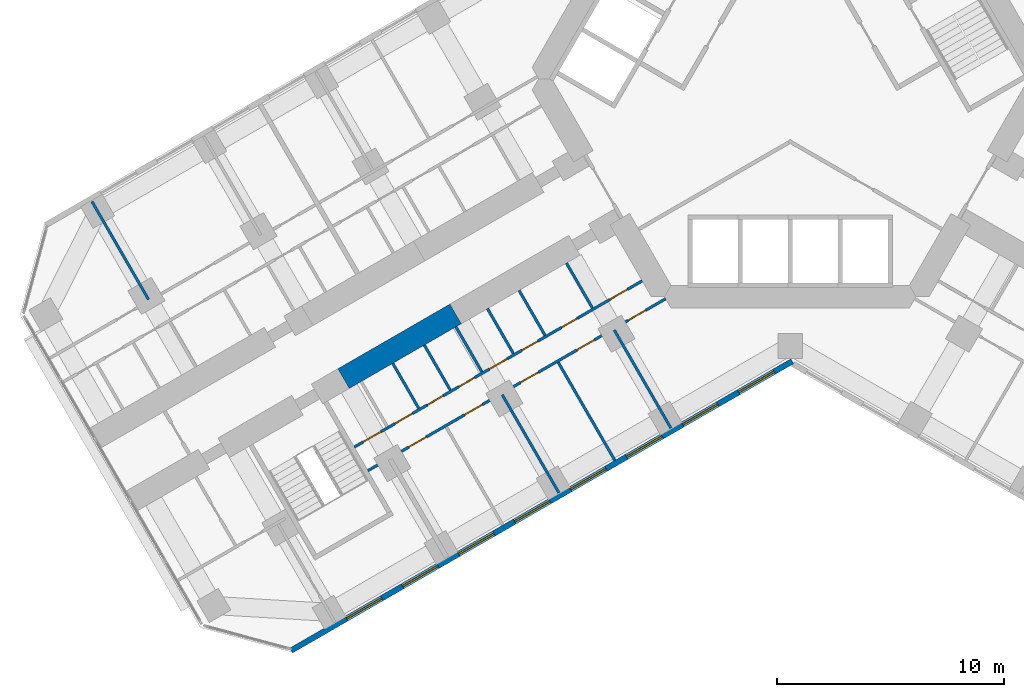
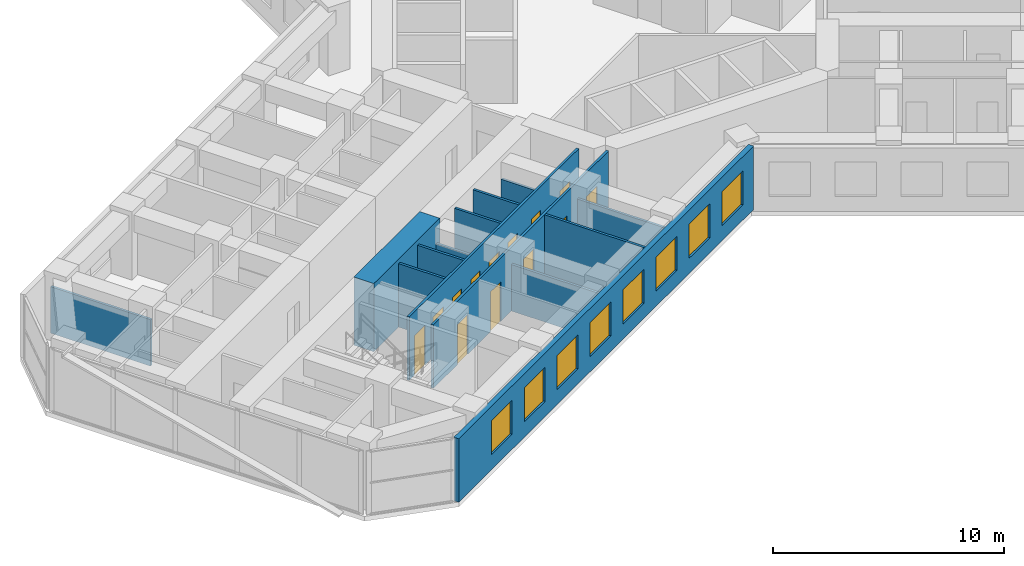
# One storey, part 9 of 18: 14 walls, 13 doors, 8 windows, 21 openings.
"""IFC4 building model written with IfcOpenShell, lengths in metres."""

from ifc_helpers import new_model, si_unit, direction, frame, frame_2d, origin, place, context, subcontext, project, spatial, rectangle, extrude, material, layer, layer_set, type_object, element, fill, save


model = new_model("IFC4")

# Units and contexts
model_context = context("Model", 3, precision=1e-05, world=origin(), true_north=direction((0.0, 1.0)))
body_context = subcontext(model_context, "Body", "Model", "MODEL_VIEW")
ifc_project = project(units=[si_unit("LENGTHUNIT", "METRE"), si_unit("AREAUNIT", "SQUARE_METRE"), si_unit("VOLUMEUNIT", "CUBIC_METRE"), si_unit("PLANEANGLEUNIT", "RADIAN"), si_unit("MASSUNIT", "GRAM", prefix="KILO")], contexts=[model_context])

# Site, building, storey
site_placement = place(None, origin())
site = spatial("IfcSite", under=ifc_project, at=site_placement, CompositionType="ELEMENT")
building_placement = place(site_placement, origin())
building = spatial("IfcBuilding", under=site, at=building_placement, Name="Kosmar Iwan School Tower", CompositionType="ELEMENT")
storey_placement = place(building_placement, frame((0.0, 0.0, 25.199951171875)))
storey = spatial("IfcBuildingStorey", under=building, at=storey_placement, Name="L05", CompositionType="ELEMENT", Elevation=25.199951171875)

# Wall
ifc_material_1 = material(Name="Concrete C50/60", Category="concrete")
ifc_layer_1 = layer(ifc_material_1, 1.0)
ifc_layer_set_1 = layer_set([ifc_layer_1], Name="Corridor buttress wall 1000")
wall_type_1 = type_object("IfcWallType", Name="Corridor buttress wall 1000", PredefinedType="SHEAR", material=ifc_layer_set_1)
wall_1_placement = place(storey_placement, frame((-14.7451171875, -10.360595703125, 0.0), z_axis=(0.0, 0.0, 1.0), x_axis=(-0.866015111908, -0.50001782563, 0.0)))
element("IfcWall", 1, at=wall_1_placement, inside=storey, type_object=wall_type_1, Name="Corridor wall BL bay 2", PredefinedType="SHEAR", context=body_context, shape_type="SweptSolid", body=[
    extrude(rectangle(XDim=5.699951171875, YDim=1.0, at=frame_2d((2.85009765625, 0.0))), origin(), (0.0, 0.0, 1.0), 3.60009765625),
])

# Wall, openings, doors
ifc_material_2 = material(Name="Gypsum board on steel studs", Category="steel")
ifc_layer_2 = layer(ifc_material_2, 0.1201171875)
ifc_layer_set_2 = layer_set([ifc_layer_2], Name="Dwelling partition 120")
wall_type_2 = type_object("IfcWallType", Name="Dwelling partition 120", PredefinedType="PARTITIONING", material=ifc_layer_set_2)
wall_2_placement = place(storey_placement, frame((-6.521728515625, -8.90380859375, 0.0), z_axis=(0.0, 0.0, 1.0), x_axis=(-0.866030734856, -0.4999907662, 0.0)))
wall_2 = element("IfcWall", 2, at=wall_2_placement, inside=storey, type_object=wall_type_2, Name="Partition L05-BL1-W1", PredefinedType="PARTITIONING", context=body_context, shape_type="SweptSolid", body=[
    extrude(rectangle(XDim=14.650146484375, YDim=0.1201171875, at=frame_2d((7.3251953125, 0.0))), origin(), (0.0, 0.0, 1.0), 3.35009765625),
])
opening_1_placement = place(wall_2_placement, frame((0.75, 0.0, 0.0)))
opening_1 = element("IfcOpeningElement", 3, at=opening_1_placement, cuts=wall_2, Name="Opening D2", PredefinedType="OPENING", context=body_context, shape_type="SweptSolid", body=[
    extrude(rectangle(XDim=0.89990234375, YDim=2.10009765625, at=frame_2d((0.449951171875, 1.050048828125))), frame((0.0, 0.072021484375, 0.0), z_axis=(0.0, -1.0, 0.0), x_axis=(1.0, 0.0, 0.0)), (0.0, 0.0, 1.0), 0.14404296875),
])
opening_2_placement = place(wall_2_placement, frame((3.304931640625, 0.0, 0.0)))
opening_2 = element("IfcOpeningElement", 4, at=opening_2_placement, cuts=wall_2, Name="Opening D3", PredefinedType="OPENING", context=body_context, shape_type="SweptSolid", body=[
    extrude(rectangle(XDim=0.800048828125, YDim=2.10009765625, at=frame_2d((0.39990234375, 1.050048828125))), frame((0.0, 0.072021484375, 0.0), z_axis=(0.0, -1.0, 0.0), x_axis=(1.0, 0.0, 0.0)), (0.0, 0.0, 1.0), 0.14404296875),
])
opening_3_placement = place(wall_2_placement, frame((5.313232421875, 0.0, 0.0)))
opening_3 = element("IfcOpeningElement", 5, at=opening_3_placement, cuts=wall_2, Name="Opening D3", PredefinedType="OPENING", context=body_context, shape_type="SweptSolid", body=[
    extrude(rectangle(XDim=0.800048828125, YDim=2.10009765625, at=frame_2d((0.39990234375, 1.050048828125))), frame((0.0, 0.072021484375, 0.0), z_axis=(0.0, -1.0, 0.0), x_axis=(1.0, 0.0, 0.0)), (0.0, 0.0, 1.0), 0.14404296875),
])
opening_4_placement = place(wall_2_placement, frame((6.8701171875, 0.0, 0.0)))
opening_4 = element("IfcOpeningElement", 6, at=opening_4_placement, cuts=wall_2, Name="Opening D2", PredefinedType="OPENING", context=body_context, shape_type="SweptSolid", body=[
    extrude(rectangle(XDim=0.89990234375, YDim=2.10009765625, at=frame_2d((0.449951171875, 1.050048828125))), frame((0.0, 0.072021484375, 0.0), z_axis=(0.0, -1.0, 0.0), x_axis=(1.0, 0.0, 0.0)), (0.0, 0.0, 1.0), 0.14404296875),
])
opening_5_placement = place(wall_2_placement, frame((8.526611328125, 0.0, 0.0)))
opening_5 = element("IfcOpeningElement", 7, at=opening_5_placement, cuts=wall_2, Name="Opening D3", PredefinedType="OPENING", context=body_context, shape_type="SweptSolid", body=[
    extrude(rectangle(XDim=0.800048828125, YDim=2.10009765625, at=frame_2d((0.39990234375, 1.050048828125))), frame((0.0, 0.072021484375, 0.0), z_axis=(0.0, -1.0, 0.0), x_axis=(1.0, 0.0, 0.0)), (0.0, 0.0, 1.0), 0.14404296875),
])
opening_6_placement = place(wall_2_placement, frame((10.13330078125, 0.0, 0.0)))
opening_6 = element("IfcOpeningElement", 8, at=opening_6_placement, cuts=wall_2, Name="Opening D3", PredefinedType="OPENING", context=body_context, shape_type="SweptSolid", body=[
    extrude(rectangle(XDim=0.800048828125, YDim=2.10009765625, at=frame_2d((0.39990234375, 1.050048828125))), frame((0.0, 0.072021484375, 0.0), z_axis=(0.0, -1.0, 0.0), x_axis=(1.0, 0.0, 0.0)), (0.0, 0.0, 1.0), 0.14404296875),
])
opening_7_placement = place(wall_2_placement, frame((11.68994140625, 0.0, 0.0)))
opening_7 = element("IfcOpeningElement", 9, at=opening_7_placement, cuts=wall_2, Name="Opening D2", PredefinedType="OPENING", context=body_context, shape_type="SweptSolid", body=[
    extrude(rectangle(XDim=0.89990234375, YDim=2.10009765625, at=frame_2d((0.449951171875, 1.050048828125))), frame((0.0, 0.072021484375, 0.0), z_axis=(0.0, -1.0, 0.0), x_axis=(1.0, 0.0, 0.0)), (0.0, 0.0, 1.0), 0.14404296875),
])
opening_8_placement = place(wall_2_placement, frame((13.296630859375, 0.0, 0.0)))
opening_8 = element("IfcOpeningElement", 10, at=opening_8_placement, cuts=wall_2, Name="Opening D2", PredefinedType="OPENING", context=body_context, shape_type="SweptSolid", body=[
    extrude(rectangle(XDim=0.89990234375, YDim=2.10009765625, at=frame_2d((0.449951171875, 1.050048828125))), frame((0.0, 0.072021484375, 0.0), z_axis=(0.0, -1.0, 0.0), x_axis=(1.0, 0.0, 0.0)), (0.0, 0.0, 1.0), 0.14404296875),
])
ifc_material_3 = material(Name="Timber door in timber frame", Category="wood")
door_type_1 = type_object("IfcDoorType", Name="Internal door 900x2100", OperationType="SINGLE_SWING_LEFT", PredefinedType="DOOR", material=ifc_material_3)
door_1_placement = place(opening_1_placement, origin())
door_1 = element("IfcDoor", 11, at=door_1_placement, inside=storey, type_object=door_type_1, Name="Entrance hall door L05-BL1-S1", OperationType="SINGLE_SWING_LEFT", OverallHeight=2.10009765625, OverallWidth=0.89990234375, PredefinedType="DOOR", context=body_context, shape_type="SweptSolid", body=[
    extrude(rectangle(XDim=0.89990234375, YDim=2.10009765625, at=frame_2d((0.449951171875, 1.050048828125))), frame((0.0, 0.02490234375, 0.0), z_axis=(0.0, -1.0, 0.0), x_axis=(1.0, 0.0, 0.0)), (0.0, 0.0, 1.0), 0.050048828125),
])
fill(opening_1, door_1)
door_2_placement = place(opening_4_placement, origin())
door_2 = element("IfcDoor", 12, at=door_2_placement, inside=storey, type_object=door_type_1, Name="Pantry door L05-BL1-S4", OperationType="SINGLE_SWING_LEFT", OverallHeight=2.10009765625, OverallWidth=0.89990234375, PredefinedType="DOOR", context=body_context, shape_type="SweptSolid", body=[
    extrude(rectangle(XDim=0.89990234375, YDim=2.10009765625, at=frame_2d((0.449951171875, 1.050048828125))), frame((0.0, 0.02490234375, 0.0), z_axis=(0.0, -1.0, 0.0), x_axis=(1.0, 0.0, 0.0)), (0.0, 0.0, 1.0), 0.050048828125),
])
fill(opening_4, door_2)
door_3_placement = place(opening_7_placement, origin())
door_3 = element("IfcDoor", 13, at=door_3_placement, inside=storey, type_object=door_type_1, Name="Utility room door L05-BL1-S7", OperationType="SINGLE_SWING_RIGHT", OverallHeight=2.10009765625, OverallWidth=0.89990234375, PredefinedType="DOOR", context=body_context, shape_type="SweptSolid", body=[
    extrude(rectangle(XDim=0.89990234375, YDim=2.10009765625, at=frame_2d((0.449951171875, 1.050048828125))), frame((0.0, 0.02490234375, 0.0), z_axis=(0.0, -1.0, 0.0), x_axis=(1.0, 0.0, 0.0)), (0.0, 0.0, 1.0), 0.050048828125),
])
fill(opening_7, door_3)
door_4_placement = place(opening_8_placement, frame((0.89990234375, 0.0, 0.0), z_axis=(0.0, 0.0, 1.0), x_axis=(-1.0, 0.0, 0.0)))
door_4 = element("IfcDoor", 14, at=door_4_placement, inside=storey, type_object=door_type_1, Name="Dressing room door L05-BL1-S8", OperationType="SINGLE_SWING_LEFT", OverallHeight=2.10009765625, OverallWidth=0.89990234375, PredefinedType="DOOR", context=body_context, shape_type="SweptSolid", body=[
    extrude(rectangle(XDim=0.89990234375, YDim=2.10009765625, at=frame_2d((0.449951171875, 1.050048828125))), frame((0.0, 0.02490234375, 0.0), z_axis=(0.0, -1.0, 0.0), x_axis=(1.0, 0.0, 0.0)), (0.0, 0.0, 1.0), 0.050048828125),
])
fill(opening_8, door_4)
ifc_material_4 = material(Name="Timber door in timber frame", Category="wood")
door_type_2 = type_object("IfcDoorType", Name="Sanitary room door 800x2100", OperationType="SINGLE_SWING_LEFT", PredefinedType="DOOR", material=ifc_material_4)
door_5_placement = place(opening_2_placement, origin())
door_5 = element("IfcDoor", 15, at=door_5_placement, inside=storey, type_object=door_type_2, Name="Bathroom door L05-BL1-S2", OperationType="SINGLE_SWING_LEFT", OverallHeight=2.10009765625, OverallWidth=0.800048828125, PredefinedType="DOOR", context=body_context, shape_type="SweptSolid", body=[
    extrude(rectangle(XDim=0.800048828125, YDim=2.10009765625, at=frame_2d((0.39990234375, 1.050048828125))), frame((0.0, 0.02490234375, 0.0), z_axis=(0.0, -1.0, 0.0), x_axis=(1.0, 0.0, 0.0)), (0.0, 0.0, 1.0), 0.050048828125),
])
fill(opening_2, door_5)
door_6_placement = place(opening_3_placement, origin())
door_6 = element("IfcDoor", 16, at=door_6_placement, inside=storey, type_object=door_type_2, Name="Shower room door L05-BL1-S3", OperationType="SINGLE_SWING_LEFT", OverallHeight=2.10009765625, OverallWidth=0.800048828125, PredefinedType="DOOR", context=body_context, shape_type="SweptSolid", body=[
    extrude(rectangle(XDim=0.800048828125, YDim=2.10009765625, at=frame_2d((0.39990234375, 1.050048828125))), frame((0.0, 0.02490234375, 0.0), z_axis=(0.0, -1.0, 0.0), x_axis=(1.0, 0.0, 0.0)), (0.0, 0.0, 1.0), 0.050048828125),
])
fill(opening_3, door_6)
door_7_placement = place(opening_5_placement, origin())
door_7 = element("IfcDoor", 17, at=door_7_placement, inside=storey, type_object=door_type_2, Name="WC door L05-BL1-S5", OperationType="SINGLE_SWING_RIGHT", OverallHeight=2.10009765625, OverallWidth=0.800048828125, PredefinedType="DOOR", context=body_context, shape_type="SweptSolid", body=[
    extrude(rectangle(XDim=0.800048828125, YDim=2.10009765625, at=frame_2d((0.39990234375, 1.050048828125))), frame((0.0, 0.02490234375, 0.0), z_axis=(0.0, -1.0, 0.0), x_axis=(1.0, 0.0, 0.0)), (0.0, 0.0, 1.0), 0.050048828125),
])
fill(opening_5, door_7)
door_8_placement = place(opening_6_placement, origin())
door_8 = element("IfcDoor", 18, at=door_8_placement, inside=storey, type_object=door_type_2, Name="Store door L05-BL1-S6", OperationType="SINGLE_SWING_RIGHT", OverallHeight=2.10009765625, OverallWidth=0.800048828125, PredefinedType="DOOR", context=body_context, shape_type="SweptSolid", body=[
    extrude(rectangle(XDim=0.800048828125, YDim=2.10009765625, at=frame_2d((0.39990234375, 1.050048828125))), frame((0.0, 0.02490234375, 0.0), z_axis=(0.0, -1.0, 0.0), x_axis=(1.0, 0.0, 0.0)), (0.0, 0.0, 1.0), 0.050048828125),
])
fill(opening_6, door_8)

wall_3_placement = place(storey_placement, frame((-5.48876953125, -9.693115234375, 0.0), z_axis=(0.0, 0.0, 1.0), x_axis=(-0.866028061085, -0.499995397393, 0.0)))
wall_3 = element("IfcWall", 19, at=wall_3_placement, inside=storey, type_object=wall_type_2, Name="Partition L05-BL1-W2", PredefinedType="PARTITIONING", context=body_context, shape_type="SweptSolid", body=[
    extrude(rectangle(XDim=15.150146484375, YDim=0.1201171875, at=frame_2d((7.5751953125, 0.0))), origin(), (0.0, 0.0, 1.0), 3.35009765625),
])
opening_9_placement = place(wall_3_placement, frame((1.0, 0.0, 0.0)))
opening_9 = element("IfcOpeningElement", 20, at=opening_9_placement, cuts=wall_3, Name="Opening D2", PredefinedType="OPENING", context=body_context, shape_type="SweptSolid", body=[
    extrude(rectangle(XDim=0.89990234375, YDim=2.10009765625, at=frame_2d((0.449951171875, 1.050048828125))), frame((0.0, 0.072021484375, 0.0), z_axis=(0.0, -1.0, 0.0), x_axis=(1.0, 0.0, 0.0)), (0.0, 0.0, 1.0), 0.14404296875),
])
opening_10_placement = place(wall_3_placement, frame((3.625, 0.0, 0.0)))
opening_10 = element("IfcOpeningElement", 21, at=opening_10_placement, cuts=wall_3, Name="Opening D2", PredefinedType="OPENING", context=body_context, shape_type="SweptSolid", body=[
    extrude(rectangle(XDim=0.89990234375, YDim=2.10009765625, at=frame_2d((0.449951171875, 1.050048828125))), frame((0.0, 0.072021484375, 0.0), z_axis=(0.0, -1.0, 0.0), x_axis=(1.0, 0.0, 0.0)), (0.0, 0.0, 1.0), 0.14404296875),
])
opening_11_placement = place(wall_3_placement, frame((6.47509765625, 0.0, 0.0)))
opening_11 = element("IfcOpeningElement", 22, at=opening_11_placement, cuts=wall_3, Name="Opening D2", PredefinedType="OPENING", context=body_context, shape_type="SweptSolid", body=[
    extrude(rectangle(XDim=0.89990234375, YDim=2.10009765625, at=frame_2d((0.449951171875, 1.050048828125))), frame((0.0, 0.072021484375, 0.0), z_axis=(0.0, -1.0, 0.0), x_axis=(1.0, 0.0, 0.0)), (0.0, 0.0, 1.0), 0.14404296875),
])
opening_12_placement = place(wall_3_placement, frame((9.324951171875, 0.0, 0.0)))
opening_12 = element("IfcOpeningElement", 23, at=opening_12_placement, cuts=wall_3, Name="Opening D2", PredefinedType="OPENING", context=body_context, shape_type="SweptSolid", body=[
    extrude(rectangle(XDim=0.89990234375, YDim=2.10009765625, at=frame_2d((0.449951171875, 1.050048828125))), frame((0.0, 0.072021484375, 0.0), z_axis=(0.0, -1.0, 0.0), x_axis=(1.0, 0.0, 0.0)), (0.0, 0.0, 1.0), 0.14404296875),
])
opening_13_placement = place(wall_3_placement, frame((12.175048828125, 0.0, 0.0)))
opening_13 = element("IfcOpeningElement", 24, at=opening_13_placement, cuts=wall_3, Name="Opening D2", PredefinedType="OPENING", context=body_context, shape_type="SweptSolid", body=[
    extrude(rectangle(XDim=0.89990234375, YDim=2.10009765625, at=frame_2d((0.449951171875, 1.050048828125))), frame((0.0, 0.072021484375, 0.0), z_axis=(0.0, -1.0, 0.0), x_axis=(1.0, 0.0, 0.0)), (0.0, 0.0, 1.0), 0.14404296875),
])
door_9_placement = place(opening_9_placement, origin())
door_9 = element("IfcDoor", 25, at=door_9_placement, inside=storey, type_object=door_type_1, Name="Living room and kitchen door L05-BL1-F1", OperationType="SINGLE_SWING_LEFT", OverallHeight=2.10009765625, OverallWidth=0.89990234375, PredefinedType="DOOR", context=body_context, shape_type="SweptSolid", body=[
    extrude(rectangle(XDim=0.89990234375, YDim=2.10009765625, at=frame_2d((0.449951171875, 1.050048828125))), frame((0.0, 0.02490234375, 0.0), z_axis=(0.0, -1.0, 0.0), x_axis=(1.0, 0.0, 0.0)), (0.0, 0.0, 1.0), 0.050048828125),
])
fill(opening_9, door_9)
door_10_placement = place(opening_10_placement, origin())
door_10 = element("IfcDoor", 26, at=door_10_placement, inside=storey, type_object=door_type_1, Name="Study door L05-BL1-F2", OperationType="SINGLE_SWING_LEFT", OverallHeight=2.10009765625, OverallWidth=0.89990234375, PredefinedType="DOOR", context=body_context, shape_type="SweptSolid", body=[
    extrude(rectangle(XDim=0.89990234375, YDim=2.10009765625, at=frame_2d((0.449951171875, 1.050048828125))), frame((0.0, 0.02490234375, 0.0), z_axis=(0.0, -1.0, 0.0), x_axis=(1.0, 0.0, 0.0)), (0.0, 0.0, 1.0), 0.050048828125),
])
fill(opening_10, door_10)
door_11_placement = place(opening_11_placement, origin())
door_11 = element("IfcDoor", 27, at=door_11_placement, inside=storey, type_object=door_type_1, Name="Bedroom 2 door L05-BL1-F3", OperationType="SINGLE_SWING_RIGHT", OverallHeight=2.10009765625, OverallWidth=0.89990234375, PredefinedType="DOOR", context=body_context, shape_type="SweptSolid", body=[
    extrude(rectangle(XDim=0.89990234375, YDim=2.10009765625, at=frame_2d((0.449951171875, 1.050048828125))), frame((0.0, 0.02490234375, 0.0), z_axis=(0.0, -1.0, 0.0), x_axis=(1.0, 0.0, 0.0)), (0.0, 0.0, 1.0), 0.050048828125),
])
fill(opening_11, door_11)
door_12_placement = place(opening_12_placement, origin())
door_12 = element("IfcDoor", 28, at=door_12_placement, inside=storey, type_object=door_type_1, Name="Study door L05-BL1-F4", OperationType="SINGLE_SWING_LEFT", OverallHeight=2.10009765625, OverallWidth=0.89990234375, PredefinedType="DOOR", context=body_context, shape_type="SweptSolid", body=[
    extrude(rectangle(XDim=0.89990234375, YDim=2.10009765625, at=frame_2d((0.449951171875, 1.050048828125))), frame((0.0, 0.02490234375, 0.0), z_axis=(0.0, -1.0, 0.0), x_axis=(1.0, 0.0, 0.0)), (0.0, 0.0, 1.0), 0.050048828125),
])
fill(opening_12, door_12)
door_13_placement = place(opening_13_placement, origin())
door_13 = element("IfcDoor", 29, at=door_13_placement, inside=storey, type_object=door_type_1, Name="Bedroom 1 door L05-BL1-F5", OperationType="SINGLE_SWING_RIGHT", OverallHeight=2.10009765625, OverallWidth=0.89990234375, PredefinedType="DOOR", context=body_context, shape_type="SweptSolid", body=[
    extrude(rectangle(XDim=0.89990234375, YDim=2.10009765625, at=frame_2d((0.449951171875, 1.050048828125))), frame((0.0, 0.02490234375, 0.0), z_axis=(0.0, -1.0, 0.0), x_axis=(1.0, 0.0, 0.0)), (0.0, 0.0, 1.0), 0.050048828125),
])
fill(opening_13, door_13)

# Walls
wall_4_placement = place(storey_placement, frame((-7.75390625, -11.070068359375, 0.0), z_axis=(0.0, 0.0, 1.0), x_axis=(0.500033033937, -0.866006330792, 0.0)))
element("IfcWall", 30, at=wall_4_placement, inside=storey, type_object=wall_type_2, Name="Partition L05-BL1-X1", PredefinedType="PARTITIONING", context=body_context, shape_type="SweptSolid", body=[
    extrude(rectangle(XDim=4.989990234375, YDim=0.1201171875, at=frame_2d((2.4951171875, 0.0))), origin(), (0.0, 0.0, 1.0), 2.449951171875),
])
wall_5_placement = place(storey_placement, frame((-10.221923828125, -12.4951171875, 0.0), z_axis=(0.0, 0.0, 1.0), x_axis=(0.499996339024, -0.86602751744, 0.0)))
element("IfcWall", 31, at=wall_5_placement, inside=storey, type_object=wall_type_2, Name="Partition L05-BL1-X2", PredefinedType="PARTITIONING", context=body_context, shape_type="SweptSolid", body=[
    extrude(rectangle(XDim=4.98974609375, YDim=0.1201171875, at=frame_2d((2.494873046875, 0.0))), origin(), (0.0, 0.0, 1.0), 3.35009765625),
])
wall_6_placement = place(storey_placement, frame((-12.690185546875, -13.919921875, 0.0), z_axis=(0.0, 0.0, 1.0), x_axis=(0.500011847778, -0.866018563358, 0.0)))
element("IfcWall", 32, at=wall_6_placement, inside=storey, type_object=wall_type_2, Name="Partition L05-BL1-X3", PredefinedType="PARTITIONING", context=body_context, shape_type="SweptSolid", body=[
    extrude(rectangle(XDim=4.990234375, YDim=0.1201171875, at=frame_2d((2.4951171875, 0.0))), origin(), (0.0, 0.0, 1.0), 2.449951171875),
])
wall_7_placement = place(storey_placement, frame((-9.86181640625, -8.11865234375, 0.0), z_axis=(0.0, 0.0, 1.0), x_axis=(0.500014693593, -0.866016920268, 0.0)))
element("IfcWall", 33, at=wall_7_placement, inside=storey, type_object=wall_type_2, Name="Partition L05-BL1-Y1", PredefinedType="PARTITIONING", context=body_context, shape_type="SweptSolid", body=[
    extrude(rectangle(XDim=2.2900390625, YDim=0.1201171875, at=frame_2d((1.14501953125, 0.0))), origin(), (0.0, 0.0, 1.0), 2.449951171875),
])
for number, where, z_axis, x_axis, name in (
    (34, (-11.948974609375, -9.32373046875, 0.0), (0.0, 0.0, 1.0), (0.500014693593, -0.866016920268, 0.0), "Partition L05-BL1-Y2"),
    (35, (-13.340576171875, -10.126953125, 0.0), (0.0, 0.0, 1.0), (0.500014693593, -0.866016920268, 0.0), "Partition L05-BL1-Y3"),
):
    element("IfcWall", number, at=place(storey_placement, frame(where, z_axis=z_axis, x_axis=x_axis)), inside=storey, type_object=wall_type_2, Name=name, PredefinedType="PARTITIONING", context=body_context, shape_type="SweptSolid", body=[
        extrude(rectangle(XDim=2.2900390625, YDim=0.1201171875, at=frame_2d((1.14501953125, 0.0))), origin(), (0.0, 0.0, 1.0), 3.35009765625),
    ])
wall_8_placement = place(storey_placement, frame((-14.73193359375, -10.930419921875, 0.0), z_axis=(0.0, 0.0, 1.0), x_axis=(0.500014693593, -0.866016920268, 0.0)))
element("IfcWall", 36, at=wall_8_placement, inside=storey, type_object=wall_type_2, Name="Partition L05-BL1-Y4", PredefinedType="PARTITIONING", context=body_context, shape_type="SweptSolid", body=[
    extrude(rectangle(XDim=2.2900390625, YDim=0.1201171875, at=frame_2d((1.14501953125, 0.0))), origin(), (0.0, 0.0, 1.0), 2.449951171875),
])
wall_9_placement = place(storey_placement, frame((-16.123291015625, -11.733642578125, 0.0), z_axis=(0.0, 0.0, 1.0), x_axis=(0.500014693593, -0.866016920268, 0.0)))
element("IfcWall", 37, at=wall_9_placement, inside=storey, type_object=wall_type_2, Name="Partition L05-BL1-Y5", PredefinedType="PARTITIONING", context=body_context, shape_type="SweptSolid", body=[
    extrude(rectangle(XDim=2.2900390625, YDim=0.1201171875, at=frame_2d((1.14501953125, 0.0))), origin(), (0.0, 0.0, 1.0), 3.35009765625),
])
wall_10_placement = place(storey_placement, frame((-17.5146484375, -12.536865234375, 0.0), z_axis=(0.0, 0.0, 1.0), x_axis=(0.499968531483, -0.866043571379, 0.0)))
element("IfcWall", 38, at=wall_10_placement, inside=storey, type_object=wall_type_2, Name="Partition L05-BL1-Y6", PredefinedType="PARTITIONING", context=body_context, shape_type="SweptSolid", body=[
    extrude(rectangle(XDim=2.290283203125, YDim=0.1201171875, at=frame_2d((1.14501953125, 0.0))), origin(), (0.0, 0.0, 1.0), 3.35009765625),
])
wall_11_placement = place(storey_placement, frame((-28.27294921875, -9.72998046875, 0.0), z_axis=(0.0, 0.0, 1.0), x_axis=(-0.499975153383, 0.86603974851, 0.0)))
element("IfcWall", 39, at=wall_11_placement, inside=storey, type_object=wall_type_2, Name="Partition L05-BR2-X2", PredefinedType="PARTITIONING", context=body_context, shape_type="SweptSolid", body=[
    extrude(rectangle(XDim=4.989990234375, YDim=0.1201171875, at=frame_2d((2.4951171875, 0.0))), origin(), (0.0, 0.0, 1.0), 2.449951171875),
])

# Wall, openings, windows
ifc_material_5 = material(Name="Black aluminium rainscreen on insulated framing", Category="aluminium")
ifc_layer_3 = layer(ifc_material_5, 0.25)
ifc_layer_set_3 = layer_set([ifc_layer_3], Name="External wall rainscreen 250")
wall_type_3 = type_object("IfcWallType", Name="External wall rainscreen 250", PredefinedType="SOLIDWALL", material=ifc_layer_set_3)
wall_12_placement = place(storey_placement, frame((0.088134765625, -12.44873046875, 0.0), z_axis=(0.0, 0.0, 1.0), x_axis=(-0.866026390279, -0.499998291337, 0.0)))
wall_12 = element("IfcWall", 40, at=wall_12_placement, inside=storey, type_object=wall_type_3, Name="External wall BL L05", PredefinedType="SOLIDWALL", context=body_context, shape_type="SweptSolid", body=[
    extrude(rectangle(XDim=25.4873046875, YDim=0.25, at=frame_2d((12.74365234375, 0.0))), origin(), (0.0, 0.0, 1.0), 3.35009765625),
])
opening_14_placement = place(wall_12_placement, frame((0.927001953125, 0.0, 0.800048828125)))
opening_14 = element("IfcOpeningElement", 41, at=opening_14_placement, cuts=wall_12, Name="Opening W1", PredefinedType="OPENING", context=body_context, shape_type="SweptSolid", body=[
    extrude(rectangle(XDim=1.800048828125, YDim=1.800048828125, at=frame_2d((0.89990234375, 0.89990234375))), frame((0.0, 0.136962890625, 0.0), z_axis=(0.0, -1.0, 0.0), x_axis=(1.0, 0.0, 0.0)), (0.0, 0.0, 1.0), 0.27392578125),
])
opening_15_placement = place(wall_12_placement, frame((3.777099609375, 0.0, 0.800048828125)))
opening_15 = element("IfcOpeningElement", 42, at=opening_15_placement, cuts=wall_12, Name="Opening W1", PredefinedType="OPENING", context=body_context, shape_type="SweptSolid", body=[
    extrude(rectangle(XDim=1.800048828125, YDim=1.800048828125, at=frame_2d((0.89990234375, 0.89990234375))), frame((0.0, 0.136962890625, 0.0), z_axis=(0.0, -1.0, 0.0), x_axis=(1.0, 0.0, 0.0)), (0.0, 0.0, 1.0), 0.27392578125),
])
opening_16_placement = place(wall_12_placement, frame((6.626953125, 0.0, 0.800048828125)))
opening_16 = element("IfcOpeningElement", 43, at=opening_16_placement, cuts=wall_12, Name="Opening W1", PredefinedType="OPENING", context=body_context, shape_type="SweptSolid", body=[
    extrude(rectangle(XDim=1.800048828125, YDim=1.800048828125, at=frame_2d((0.89990234375, 0.89990234375))), frame((0.0, 0.136962890625, 0.0), z_axis=(0.0, -1.0, 0.0), x_axis=(1.0, 0.0, 0.0)), (0.0, 0.0, 1.0), 0.27392578125),
])
opening_17_placement = place(wall_12_placement, frame((9.47705078125, 0.0, 0.800048828125)))
opening_17 = element("IfcOpeningElement", 44, at=opening_17_placement, cuts=wall_12, Name="Opening W1", PredefinedType="OPENING", context=body_context, shape_type="SweptSolid", body=[
    extrude(rectangle(XDim=1.800048828125, YDim=1.800048828125, at=frame_2d((0.89990234375, 0.89990234375))), frame((0.0, 0.136962890625, 0.0), z_axis=(0.0, -1.0, 0.0), x_axis=(1.0, 0.0, 0.0)), (0.0, 0.0, 1.0), 0.27392578125),
])
opening_18_placement = place(wall_12_placement, frame((12.326904296875, 0.0, 0.800048828125)))
opening_18 = element("IfcOpeningElement", 45, at=opening_18_placement, cuts=wall_12, Name="Opening W1", PredefinedType="OPENING", context=body_context, shape_type="SweptSolid", body=[
    extrude(rectangle(XDim=1.800048828125, YDim=1.800048828125, at=frame_2d((0.89990234375, 0.89990234375))), frame((0.0, 0.136962890625, 0.0), z_axis=(0.0, -1.0, 0.0), x_axis=(1.0, 0.0, 0.0)), (0.0, 0.0, 1.0), 0.27392578125),
])
opening_19_placement = place(wall_12_placement, frame((15.177001953125, 0.0, 0.800048828125)))
opening_19 = element("IfcOpeningElement", 46, at=opening_19_placement, cuts=wall_12, Name="Opening W1", PredefinedType="OPENING", context=body_context, shape_type="SweptSolid", body=[
    extrude(rectangle(XDim=1.800048828125, YDim=1.800048828125, at=frame_2d((0.89990234375, 0.89990234375))), frame((0.0, 0.136962890625, 0.0), z_axis=(0.0, -1.0, 0.0), x_axis=(1.0, 0.0, 0.0)), (0.0, 0.0, 1.0), 0.27392578125),
])
opening_20_placement = place(wall_12_placement, frame((18.027099609375, 0.0, 0.800048828125)))
opening_20 = element("IfcOpeningElement", 47, at=opening_20_placement, cuts=wall_12, Name="Opening W1", PredefinedType="OPENING", context=body_context, shape_type="SweptSolid", body=[
    extrude(rectangle(XDim=1.800048828125, YDim=1.800048828125, at=frame_2d((0.89990234375, 0.89990234375))), frame((0.0, 0.136962890625, 0.0), z_axis=(0.0, -1.0, 0.0), x_axis=(1.0, 0.0, 0.0)), (0.0, 0.0, 1.0), 0.27392578125),
])
opening_21_placement = place(wall_12_placement, frame((20.876953125, 0.0, 0.800048828125)))
opening_21 = element("IfcOpeningElement", 48, at=opening_21_placement, cuts=wall_12, Name="Opening W1", PredefinedType="OPENING", context=body_context, shape_type="SweptSolid", body=[
    extrude(rectangle(XDim=1.800048828125, YDim=1.800048828125, at=frame_2d((0.89990234375, 0.89990234375))), frame((0.0, 0.136962890625, 0.0), z_axis=(0.0, -1.0, 0.0), x_axis=(1.0, 0.0, 0.0)), (0.0, 0.0, 1.0), 0.27392578125),
])
ifc_material_6 = material(Name="Black aluminium frame with dark triple glazing", Category="aluminium")
window_type = type_object("IfcWindowType", Name="Window 1800x1800", PartitioningType="SINGLE_PANEL", PredefinedType="WINDOW", material=ifc_material_6)
window_1_placement = place(opening_14_placement, origin())
window_1 = element("IfcWindow", 49, at=window_1_placement, inside=storey, type_object=window_type, Name="Window BL L05 -1", OverallHeight=1.800048828125, OverallWidth=1.800048828125, PartitioningType="SINGLE_PANEL", PredefinedType="WINDOW", context=body_context, shape_type="SweptSolid", body=[
    extrude(rectangle(XDim=1.800048828125, YDim=1.800048828125, at=frame_2d((0.89990234375, 0.89990234375))), frame((0.0, 0.030029296875, 0.0), z_axis=(0.0, -1.0, 0.0), x_axis=(1.0, 0.0, 0.0)), (0.0, 0.0, 1.0), 0.06005859375),
])
fill(opening_14, window_1)
window_2_placement = place(opening_15_placement, origin())
window_2 = element("IfcWindow", 50, at=window_2_placement, inside=storey, type_object=window_type, Name="Window BL L05 0", OverallHeight=1.800048828125, OverallWidth=1.800048828125, PartitioningType="SINGLE_PANEL", PredefinedType="WINDOW", context=body_context, shape_type="SweptSolid", body=[
    extrude(rectangle(XDim=1.800048828125, YDim=1.800048828125, at=frame_2d((0.89990234375, 0.89990234375))), frame((0.0, 0.030029296875, 0.0), z_axis=(0.0, -1.0, 0.0), x_axis=(1.0, 0.0, 0.0)), (0.0, 0.0, 1.0), 0.06005859375),
])
fill(opening_15, window_2)
window_3_placement = place(opening_16_placement, origin())
window_3 = element("IfcWindow", 51, at=window_3_placement, inside=storey, type_object=window_type, Name="Window BL L05 1", OverallHeight=1.800048828125, OverallWidth=1.800048828125, PartitioningType="SINGLE_PANEL", PredefinedType="WINDOW", context=body_context, shape_type="SweptSolid", body=[
    extrude(rectangle(XDim=1.800048828125, YDim=1.800048828125, at=frame_2d((0.89990234375, 0.89990234375))), frame((0.0, 0.030029296875, 0.0), z_axis=(0.0, -1.0, 0.0), x_axis=(1.0, 0.0, 0.0)), (0.0, 0.0, 1.0), 0.06005859375),
])
fill(opening_16, window_3)
window_4_placement = place(opening_17_placement, origin())
window_4 = element("IfcWindow", 52, at=window_4_placement, inside=storey, type_object=window_type, Name="Window BL L05 2", OverallHeight=1.800048828125, OverallWidth=1.800048828125, PartitioningType="SINGLE_PANEL", PredefinedType="WINDOW", context=body_context, shape_type="SweptSolid", body=[
    extrude(rectangle(XDim=1.800048828125, YDim=1.800048828125, at=frame_2d((0.89990234375, 0.89990234375))), frame((0.0, 0.030029296875, 0.0), z_axis=(0.0, -1.0, 0.0), x_axis=(1.0, 0.0, 0.0)), (0.0, 0.0, 1.0), 0.06005859375),
])
fill(opening_17, window_4)
window_5_placement = place(opening_18_placement, origin())
window_5 = element("IfcWindow", 53, at=window_5_placement, inside=storey, type_object=window_type, Name="Window BL L05 3", OverallHeight=1.800048828125, OverallWidth=1.800048828125, PartitioningType="SINGLE_PANEL", PredefinedType="WINDOW", context=body_context, shape_type="SweptSolid", body=[
    extrude(rectangle(XDim=1.800048828125, YDim=1.800048828125, at=frame_2d((0.89990234375, 0.89990234375))), frame((0.0, 0.030029296875, 0.0), z_axis=(0.0, -1.0, 0.0), x_axis=(1.0, 0.0, 0.0)), (0.0, 0.0, 1.0), 0.06005859375),
])
fill(opening_18, window_5)
window_6_placement = place(opening_19_placement, origin())
window_6 = element("IfcWindow", 54, at=window_6_placement, inside=storey, type_object=window_type, Name="Window BL L05 4", OverallHeight=1.800048828125, OverallWidth=1.800048828125, PartitioningType="SINGLE_PANEL", PredefinedType="WINDOW", context=body_context, shape_type="SweptSolid", body=[
    extrude(rectangle(XDim=1.800048828125, YDim=1.800048828125, at=frame_2d((0.89990234375, 0.89990234375))), frame((0.0, 0.030029296875, 0.0), z_axis=(0.0, -1.0, 0.0), x_axis=(1.0, 0.0, 0.0)), (0.0, 0.0, 1.0), 0.06005859375),
])
fill(opening_19, window_6)
window_7_placement = place(opening_20_placement, origin())
window_7 = element("IfcWindow", 55, at=window_7_placement, inside=storey, type_object=window_type, Name="Window BL L05 5", OverallHeight=1.800048828125, OverallWidth=1.800048828125, PartitioningType="SINGLE_PANEL", PredefinedType="WINDOW", context=body_context, shape_type="SweptSolid", body=[
    extrude(rectangle(XDim=1.800048828125, YDim=1.800048828125, at=frame_2d((0.89990234375, 0.89990234375))), frame((0.0, 0.030029296875, 0.0), z_axis=(0.0, -1.0, 0.0), x_axis=(1.0, 0.0, 0.0)), (0.0, 0.0, 1.0), 0.06005859375),
])
fill(opening_20, window_7)
window_8_placement = place(opening_21_placement, origin())
window_8 = element("IfcWindow", 56, at=window_8_placement, inside=storey, type_object=window_type, Name="Window BL L05 6", OverallHeight=1.800048828125, OverallWidth=1.800048828125, PartitioningType="SINGLE_PANEL", PredefinedType="WINDOW", context=body_context, shape_type="SweptSolid", body=[
    extrude(rectangle(XDim=1.800048828125, YDim=1.800048828125, at=frame_2d((0.89990234375, 0.89990234375))), frame((0.0, 0.030029296875, 0.0), z_axis=(0.0, -1.0, 0.0), x_axis=(1.0, 0.0, 0.0)), (0.0, 0.0, 1.0), 0.06005859375),
])
fill(opening_21, window_8)

save(model, "model.ifc")
